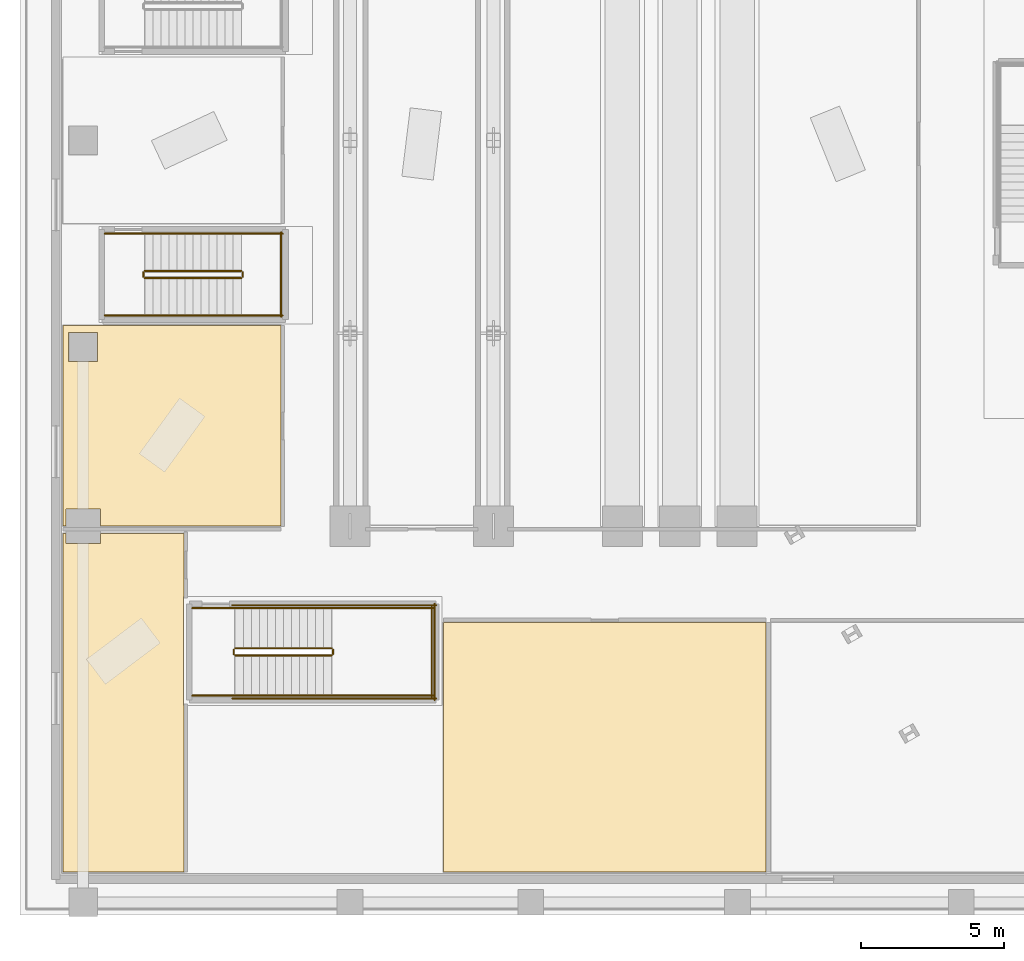
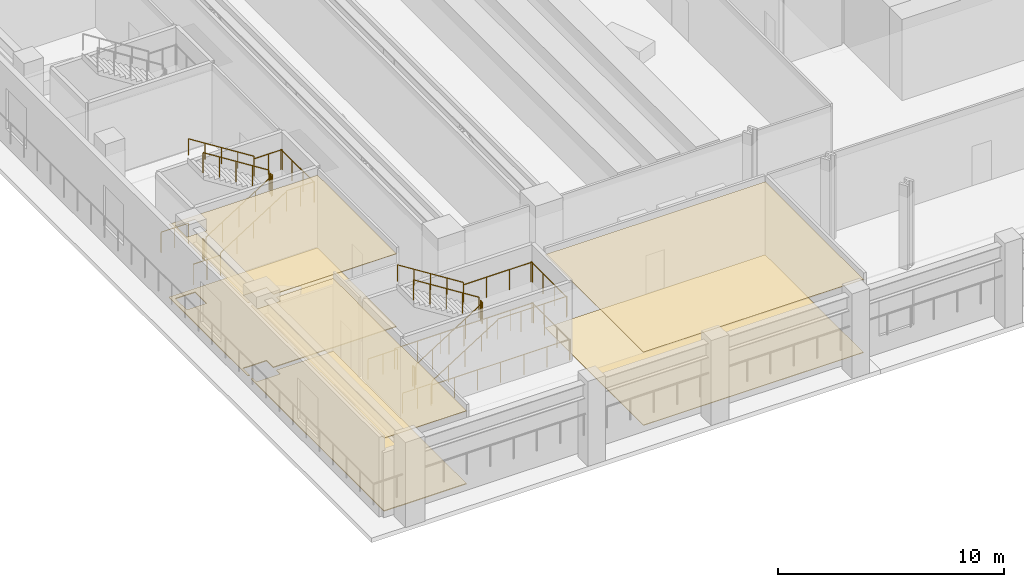
# One storey, part 13 of 24: 25 railings, 6 coverings.
"""IFC4 building model written with IfcOpenShell, lengths in metres."""

import ifcopenshell
import ifcopenshell.guid

model = None  # the IFC model being written
_history = None  # IfcOwnerHistory: only IFC2X3 demands one
_inside = {}  # id of a spatial element -> (the spatial element, [elements in it])
_under = {}  # id of a project, library or spatial element -> (it, [spatial elements below it])
_declared = {}  # id of a project -> (the project, [libraries it declares])
_typed = {}  # id of a type object -> (the type object, [elements of that type])
_made_of = {}  # id of a material, layer set ... -> (it, [elements and type objects made of it])


def new_model(schema):
    """Start an empty IFC model of exactly this schema.

    Asked for "IFC4X3", IfcOpenShell would pick the latest addendum, in which some entities
    have other attributes; the version numbers below select the first issue.
    IFC2X3 requires an IfcOwnerHistory on every rooted entity: one is made here for all.
    """
    global model, _history
    if schema == "IFC4X3":
        model = ifcopenshell.file(schema_version=(4, 3, 0, 0))
    else:
        model = ifcopenshell.file(schema=schema)
    _inside.clear()
    _under.clear()
    _declared.clear()
    _typed.clear()
    _made_of.clear()
    _history = None
    if model.schema == "IFC2X3":
        org = make("IfcOrganization", Name="unknown")
        user = make(
            "IfcPersonAndOrganization",
            ThePerson=make("IfcPerson", FamilyName="unknown"),
            TheOrganization=org,
        )
        app = make(
            "IfcApplication",
            ApplicationDeveloper=org,
            Version="unknown",
            ApplicationFullName="unknown",
            ApplicationIdentifier="unknown",
        )
        _history = make(
            "IfcOwnerHistory",
            OwningUser=user,
            OwningApplication=app,
            ChangeAction="ADDED",
            CreationDate=0,
        )
    return model


def make(cls, **values):
    """One entity of the class cls with the attributes given. An attribute that is None is left unset."""
    return model.create_entity(
        cls, **{name: value for name, value in values.items() if value is not None}
    )


def rooted(cls, **values):
    """An entity with a GlobalId (a new one), such as an element, a storey or a relation."""
    return make(cls, GlobalId=ifcopenshell.guid.new(), OwnerHistory=_history, **values)


def si_unit(unit_type, name, prefix=None):
    """IfcSIUnit, for example si_unit("LENGTHUNIT", "METRE", prefix="MILLI")."""
    return make("IfcSIUnit", UnitType=unit_type, Prefix=prefix, Name=name)


def assignment(units):
    """IfcUnitAssignment: the units of a project."""
    return None if units is None else make("IfcUnitAssignment", Units=units)


def point(xyz):
    """IfcCartesianPoint."""
    return None if xyz is None else make("IfcCartesianPoint", Coordinates=xyz)


def direction(xyz):
    """IfcDirection."""
    return None if xyz is None else make("IfcDirection", DirectionRatios=xyz)


def frame(location, z_axis=None, x_axis=None):
    """IfcAxis2Placement3D, a coordinate frame: its origin and axes. An axis left out is left unset."""
    return make(
        "IfcAxis2Placement3D",
        Location=point(location),
        Axis=direction(z_axis),
        RefDirection=direction(x_axis),
    )


def frame_2d(location, x_axis=None):
    """IfcAxis2Placement2D, a coordinate frame in the plane: its origin and x axis."""
    return make(
        "IfcAxis2Placement2D", Location=point(location), RefDirection=direction(x_axis)
    )


def origin():
    """The frame at (0, 0, 0) with its axes left unset."""
    return frame((0.0, 0.0, 0.0))


def origin_2d():
    """The frame at (0, 0) in the plane with its x axis left unset."""
    return frame_2d((0.0, 0.0))


def place(relative_to, where):
    """IfcLocalPlacement: puts the frame where relative to a parent placement (None: the world)."""
    return make(
        "IfcLocalPlacement", PlacementRelTo=relative_to, RelativePlacement=where
    )


def context(
    kind, dimensions, precision=None, world=None, true_north=None, identifier=None
):
    """IfcGeometricRepresentationContext, for example the 3D "Model" context."""
    return make(
        "IfcGeometricRepresentationContext",
        ContextIdentifier=identifier,
        ContextType=kind,
        CoordinateSpaceDimension=dimensions,
        Precision=precision,
        WorldCoordinateSystem=world,
        TrueNorth=true_north,
    )


def subcontext(parent, identifier, kind, view, scale=None):
    """IfcGeometricRepresentationSubContext, for example "Body" below "Model"."""
    return make(
        "IfcGeometricRepresentationSubContext",
        ContextIdentifier=identifier,
        ContextType=kind,
        ParentContext=parent,
        TargetScale=scale,
        TargetView=view,
    )


def project(units=None, contexts=None):
    """IfcProject with its units and contexts."""
    return rooted(
        "IfcProject",
        Name="project",
        RepresentationContexts=contexts,
        UnitsInContext=assignment(units),
    )


def spatial(cls, under=None, at=None, **own):
    """A site, building, storey or space (cls), placed at a placement, below another one or the project."""
    s = rooted(cls, ObjectPlacement=at, **own)
    if under is not None:
        _under.setdefault(under.id(), (under, []))[1].append(s)
    return s


def polyline(points):
    """IfcPolyline through the points."""
    return make("IfcPolyline", Points=[point(p) for p in points])


def profile(cls, at=None, kind="AREA", **sizes):
    """A parametric profile (cls). Its sizes go by their IFC names, for example OverallWidth=200.0."""
    return make(cls, ProfileType=kind, Position=at, **sizes)


def circle(**sizes):
    """IfcCircleProfileDef."""
    return profile("IfcCircleProfileDef", **sizes)


def outline(outer, holes=None, kind="AREA"):
    """IfcArbitraryClosedProfileDef: a profile drawn as a closed curve; with holes, ...WithVoids."""
    if holes is None:
        return make("IfcArbitraryClosedProfileDef", ProfileType=kind, OuterCurve=outer)
    return make(
        "IfcArbitraryProfileDefWithVoids",
        ProfileType=kind,
        OuterCurve=outer,
        InnerCurves=holes,
    )


def extrude(swept, where, along, depth):
    """IfcExtrudedAreaSolid: the profile swept, set in the frame where, extruded along a direction by depth."""
    return make(
        "IfcExtrudedAreaSolid",
        SweptArea=swept,
        Position=where,
        ExtrudedDirection=direction(along),
        Depth=depth,
    )


def shape(context_of_items, identifier, shape_type, items):
    """IfcShapeRepresentation: the items that make up one representation, for example the "Body"."""
    return make(
        "IfcShapeRepresentation",
        ContextOfItems=context_of_items,
        RepresentationIdentifier=identifier,
        RepresentationType=shape_type,
        Items=items,
    )


def material(Name=None, Category=None):
    """IfcMaterial."""
    return make("IfcMaterial", Name=Name, Category=Category)


def layer(
    of_material, thickness, ventilated=None, Name=None, Category=None, Priority=None
):
    """IfcMaterialLayer: one layer of a wall or slab, of a material (None: an air gap)."""
    return make(
        "IfcMaterialLayer",
        Material=of_material,
        LayerThickness=thickness,
        IsVentilated=ventilated,
        Name=Name,
        Category=Category,
        Priority=Priority,
    )


def layer_set(layers, Name=None):
    """IfcMaterialLayerSet."""
    return make("IfcMaterialLayerSet", MaterialLayers=layers, LayerSetName=Name)


def made_of(thing, what):
    """Note that an element or type object is made of a material, layer set ...; save() writes the relation."""
    if what is not None:
        _made_of.setdefault(what.id(), (what, []))[1].append(thing)
    return thing


def type_object(cls, material=None, **own):
    """A type object (cls), such as IfcWallType, which elements share."""
    return made_of(rooted(cls, **own), material)


def element(
    cls,
    number,
    at=None,
    inside=None,
    cuts=None,
    type_object=None,
    material=None,
    context=None,
    identifier="Body",
    shape_type=None,
    held_by="IfcProductDefinitionShape",
    body=None,
    shapes=None,
    **own,
):
    """One element of the class cls, such as IfcWall. Its Tag is "e" and its number.

    at: its placement. inside: the storey or other place that contains it. cuts: it is an
    opening in that element (IfcRelVoidsElement). A single representation is given by context,
    identifier, shape_type and body (its items); several are given by shapes. held_by: the class
    of the entity that holds the representations. save() writes the other relations.
    """
    e = rooted(cls, Tag="e%d" % number, ObjectPlacement=at, **own)
    if body is not None:
        shapes = [shape(context, identifier, shape_type, body)]
    if shapes is not None:
        e.Representation = make(held_by, Representations=shapes)
    if inside is not None:
        _inside.setdefault(inside.id(), (inside, []))[1].append(e)
    if cuts is not None:
        rooted(
            "IfcRelVoidsElement", RelatingBuildingElement=cuts, RelatedOpeningElement=e
        )
    if type_object is not None:
        _typed.setdefault(type_object.id(), (type_object, []))[1].append(e)
    return made_of(e, material)


def aggregate(whole, parts):
    """IfcRelAggregates: a whole, such as a stair, and the parts it consists of."""
    return rooted("IfcRelAggregates", RelatingObject=whole, RelatedObjects=parts)


def save(model, path):
    """Write the relations noted so far, then the file.

    IfcRelAggregates (storeys below a building ...), IfcRelContainedInSpatialStructure (elements
    in a storey), IfcRelDefinesByType, IfcRelAssociatesMaterial and IfcRelDeclares: one each for
    every whole, place, type object, material and project.
    """
    for whole, parts in _under.values():
        aggregate(whole, parts)
    for where, things in _inside.values():
        rooted(
            "IfcRelContainedInSpatialStructure",
            RelatedElements=things,
            RelatingStructure=where,
        )
    for kind, things in _typed.values():
        rooted("IfcRelDefinesByType", RelatedObjects=things, RelatingType=kind)
    for what, things in _made_of.values():
        rooted("IfcRelAssociatesMaterial", RelatedObjects=things, RelatingMaterial=what)
    for by, libraries in _declared.values():
        rooted("IfcRelDeclares", RelatingContext=by, RelatedDefinitions=libraries)
    model.write(path)


model = new_model("IFC4")

# Units and contexts
model_context = context("Model", 3, precision=1e-05, world=origin(), true_north=direction((0.0, 1.0)))
body_context = subcontext(model_context, "Body", "Model", "MODEL_VIEW")
ifc_project = project(units=[si_unit("LENGTHUNIT", "METRE"), si_unit("AREAUNIT", "SQUARE_METRE"), si_unit("VOLUMEUNIT", "CUBIC_METRE"), si_unit("PLANEANGLEUNIT", "RADIAN"), si_unit("MASSUNIT", "GRAM", prefix="KILO")], contexts=[model_context])

# Site, building, storey
site_placement = place(None, origin())
site = spatial("IfcSite", under=ifc_project, at=site_placement, CompositionType="ELEMENT")
building_placement = place(site_placement, origin())
building = spatial("IfcBuilding", under=site, at=building_placement, Name="Valkerne Bourse Tower", CompositionType="ELEMENT")
storey_placement = place(building_placement, frame((0.0, 0.0, 19.39990234375)))
storey = spatial("IfcBuildingStorey", under=building, at=storey_placement, Name="L04", CompositionType="ELEMENT", Elevation=19.39990234375)

# Coverings
ifc_material_1 = material(Name="Mineral Fiber Acoustic Ceiling Tile", Category="acoustic")
ifc_layer_1 = layer(ifc_material_1, 0.02490234375)
ifc_layer_set_1 = layer_set([ifc_layer_1], Name="Mineral Fiber Acoustic Ceiling Tile")
covering_type_1 = type_object("IfcCoveringType", Name="COV-CEIL-ACT", PredefinedType="CEILING", material=ifc_layer_set_1)
covering_1_placement = place(storey_placement, frame((0.0, 0.0, 3.9501953125)))
element("IfcCovering", 1, at=covering_1_placement, inside=storey, type_object=covering_type_1, Name="L04 Suspended Ceiling 01", PredefinedType="CEILING", context=body_context, shape_type="SweptSolid", body=[
    extrude(outline(polyline([(1.50390625, 13.2958984375), (1.595947265625, 13.2958984375), (1.595947265625, 12.946044921875), (2.803955078125, 12.946044921875), (2.803955078125, 13.2958984375), (5.716064453125, 13.2958984375), (5.716064453125, 11.10009765625), (5.699951171875, 11.10009765625), (5.699951171875, 7.300048828125), (5.716064453125, 7.300048828125), (5.716064453125, 1.50390625), (1.50390625, 1.50390625), (1.50390625, 13.2958984375)])), origin(), (0.0, 0.0, 1.0), 0.02490234375),
])
covering_2_placement = place(storey_placement, frame((0.0, 0.0, 3.9501953125)))
element("IfcCovering", 2, at=covering_2_placement, inside=storey, type_object=covering_type_1, Name="L04 Suspended Ceiling 02", PredefinedType="CEILING", context=body_context, shape_type="SweptSolid", body=[
    extrude(outline(polyline([(14.75390625, 10.196044921875), (25.99609375, 10.196044921875), (25.99609375, 1.50390625), (14.75390625, 1.50390625), (14.75390625, 10.196044921875)])), origin(), (0.0, 0.0, 1.0), 0.02490234375),
])
covering_3_placement = place(storey_placement, frame((0.0, 0.0, 3.9501953125)))
element("IfcCovering", 3, at=covering_3_placement, inside=storey, type_object=covering_type_1, Name="L04 Suspended Ceiling 14", PredefinedType="CEILING", context=body_context, shape_type="SweptSolid", body=[
    extrude(outline(polyline([(1.50390625, 20.5458984375), (9.095947265625, 20.5458984375), (9.095947265625, 13.553955078125), (2.803955078125, 13.553955078125), (2.803955078125, 14.154052734375), (1.595947265625, 14.154052734375), (1.595947265625, 13.553955078125), (1.50390625, 13.553955078125), (1.50390625, 20.5458984375)]), holes=[polyline([(1.696044921875, 20.303955078125), (1.696044921875, 19.2958984375), (2.7041015625, 19.2958984375), (2.7041015625, 20.303955078125), (1.696044921875, 20.303955078125)])]), origin(), (0.0, 0.0, 1.0), 0.02490234375),
])
ifc_material_2 = material(Name="Galvanised Painted Steel", Category="steel")
ifc_layer_2 = layer(ifc_material_2, 0.044921875)
ifc_layer_set_2 = layer_set([ifc_layer_2], Name="Galvanised Painted Steel")
covering_type_2 = type_object("IfcCoveringType", Name="COV-FLR-RAF", PredefinedType="FLOORING", material=ifc_layer_set_2)
covering_4_placement = place(storey_placement, origin())
element("IfcCovering", 4, at=covering_4_placement, inside=storey, type_object=covering_type_2, Name="L04 Floor Finish 01", PredefinedType="FLOORING", context=body_context, shape_type="SweptSolid", body=[
    extrude(outline(polyline([(1.50390625, 13.2958984375), (1.595947265625, 13.2958984375), (1.595947265625, 12.946044921875), (2.803955078125, 12.946044921875), (2.803955078125, 13.2958984375), (5.716064453125, 13.2958984375), (5.716064453125, 11.10009765625), (5.699951171875, 11.10009765625), (5.699951171875, 7.300048828125), (5.716064453125, 7.300048828125), (5.716064453125, 1.50390625), (1.50390625, 1.50390625), (1.50390625, 13.2958984375)])), origin(), (0.0, 0.0, 1.0), 0.045166015625),
])
covering_5_placement = place(storey_placement, origin())
element("IfcCovering", 5, at=covering_5_placement, inside=storey, type_object=covering_type_2, Name="L04 Floor Finish 14", PredefinedType="FLOORING", context=body_context, shape_type="SweptSolid", body=[
    extrude(outline(polyline([(1.50390625, 20.5458984375), (9.095947265625, 20.5458984375), (9.095947265625, 13.553955078125), (2.803955078125, 13.553955078125), (2.803955078125, 14.154052734375), (1.595947265625, 14.154052734375), (1.595947265625, 13.553955078125), (1.50390625, 13.553955078125), (1.50390625, 20.5458984375)]), holes=[polyline([(1.696044921875, 20.303955078125), (1.696044921875, 19.2958984375), (2.7041015625, 19.2958984375), (2.7041015625, 20.303955078125), (1.696044921875, 20.303955078125)])]), origin(), (0.0, 0.0, 1.0), 0.045166015625),
])
ifc_material_3 = material(Name="Polished Granite Stone", Category="masonry")
ifc_layer_3 = layer(ifc_material_3, 0.030029296875)
ifc_layer_set_3 = layer_set([ifc_layer_3], Name="Polished Granite Stone")
covering_type_3 = type_object("IfcCoveringType", Name="COV-FLR-TERRAZZO", PredefinedType="FLOORING", material=ifc_layer_set_3)
covering_6_placement = place(storey_placement, origin())
element("IfcCovering", 6, at=covering_6_placement, inside=storey, type_object=covering_type_3, Name="L04 Floor Finish 02", PredefinedType="FLOORING", context=body_context, shape_type="SweptSolid", body=[
    extrude(outline(polyline([(14.75390625, 10.196044921875), (25.99609375, 10.196044921875), (25.99609375, 1.50390625), (14.75390625, 1.50390625), (14.75390625, 10.196044921875)])), origin(), (0.0, 0.0, 1.0), 0.030029296875),
])

# Railings
railing_type_1 = type_object("IfcRailingType", Name="RLG-ST-GUARD-1120", PredefinedType="GUARDRAIL", material=ifc_material_2)
railing_1_placement = place(storey_placement, frame((7.5, 9.050048828125, 0.177001953125)))
element("IfcRailing", 7, at=railing_1_placement, inside=storey, type_object=railing_type_1, Name="L04 ST-P1 stair guard 1", PredefinedType="GUARDRAIL", context=body_context, shape_type="SweptSolid", body=[
    extrude(circle(Radius=0.02392578125, at=origin_2d()), frame((0.0, 0.0, 1.09619140625), z_axis=(0.845389635667, 0.0, 0.534150132366), x_axis=(0.0, 1.0, 0.0)), (0.0, 0.0, 1.0), 3.974609375),
    extrude(circle(Radius=0.02099609375, at=origin_2d()), origin(), (0.0, 0.0, 1.0), 1.072021484375),
    extrude(circle(Radius=0.02099609375, at=origin_2d()), frame((0.840087890625, 0.0, 0.53076171875)), (0.0, 0.0, 1.0), 1.072021484375),
    extrude(circle(Radius=0.02099609375, at=origin_2d()), frame((1.68017578125, 0.0, 1.0615234375)), (0.0, 0.0, 1.0), 1.072021484375),
    extrude(circle(Radius=0.02099609375, at=origin_2d()), frame((2.52001953125, 0.0, 1.59228515625)), (0.0, 0.0, 1.0), 1.072021484375),
    extrude(circle(Radius=0.02099609375, at=origin_2d()), frame((3.360107421875, 0.0, 2.123046875)), (0.0, 0.0, 1.0), 1.072021484375),
])
railing_2_placement = place(storey_placement, frame((10.909912109375, 9.10009765625, 2.300048828125)))
element("IfcRailing", 8, at=railing_2_placement, inside=storey, type_object=railing_type_1, Name="L04 ST-P1 stair guard 2", PredefinedType="GUARDRAIL", context=body_context, shape_type="SweptSolid", body=[
    extrude(circle(Radius=0.02392578125, at=origin_2d()), frame((0.0, 0.0, 1.09619140625), z_axis=(0.0, 1.0, 0.0), x_axis=(-1.0, 0.0, 0.0)), (0.0, 0.0, 1.0), 0.14990234375),
    extrude(circle(Radius=0.02099609375, at=origin_2d()), origin(), (0.0, 0.0, 1.0), 1.072021484375),
    extrude(circle(Radius=0.02099609375, at=origin_2d()), frame((0.0, 0.14990234375, 0.0)), (0.0, 0.0, 1.0), 1.072021484375),
])
for number, where, name in (
    (9, (10.860107421875, 7.64990234375, 2.300048828125), "L04 ST-P1 stair guard 3"),
    (10, (10.860107421875, 10.699951171875, 2.300048828125), "L04 ST-P1 stair guard 4"),
):
    element("IfcRailing", number, at=place(storey_placement, frame(where)), inside=storey, type_object=railing_type_1, Name=name, PredefinedType="GUARDRAIL", context=body_context, shape_type="SweptSolid", body=[
        extrude(circle(Radius=0.02392578125, at=origin_2d()), frame((0.0, 0.0, 1.09619140625), z_axis=(1.0, 0.0, 0.0), x_axis=(0.0, 1.0, 0.0)), (0.0, 0.0, 1.0), 3.539794921875),
        extrude(circle(Radius=0.02099609375, at=origin_2d()), origin(), (0.0, 0.0, 1.0), 1.072021484375),
        extrude(circle(Radius=0.02099609375, at=origin_2d()), frame((1.179931640625, 0.0, 0.0)), (0.0, 0.0, 1.0), 1.072021484375),
        extrude(circle(Radius=0.02099609375, at=origin_2d()), frame((2.35986328125, 0.0, 0.0)), (0.0, 0.0, 1.0), 1.072021484375),
        extrude(circle(Radius=0.02099609375, at=origin_2d()), frame((3.539794921875, 0.0, 0.0)), (0.0, 0.0, 1.0), 1.072021484375),
    ])
railing_3_placement = place(storey_placement, frame((14.35009765625, 7.60009765625, 2.300048828125)))
element("IfcRailing", 11, at=railing_3_placement, inside=storey, type_object=railing_type_1, Name="L04 ST-P1 stair guard 5", PredefinedType="GUARDRAIL", context=body_context, shape_type="SweptSolid", body=[
    extrude(circle(Radius=0.02392578125, at=origin_2d()), frame((0.0, 0.0, 1.09619140625), z_axis=(0.0, 1.0, 0.0), x_axis=(-1.0, 0.0, 0.0)), (0.0, 0.0, 1.0), 3.14990234375),
    extrude(circle(Radius=0.02099609375, at=origin_2d()), origin(), (0.0, 0.0, 1.0), 1.072021484375),
    extrude(circle(Radius=0.02099609375, at=origin_2d()), frame((0.0, 1.050048828125, 0.0)), (0.0, 0.0, 1.0), 1.072021484375),
    extrude(circle(Radius=0.02099609375, at=origin_2d()), frame((0.0, 2.099853515625, 0.0)), (0.0, 0.0, 1.0), 1.072021484375),
    extrude(circle(Radius=0.02099609375, at=origin_2d()), frame((0.0, 3.14990234375, 0.0)), (0.0, 0.0, 1.0), 1.072021484375),
])
railing_4_placement = place(storey_placement, frame((10.860107421875, 9.300048828125, 2.47705078125)))
element("IfcRailing", 12, at=railing_4_placement, inside=storey, type_object=railing_type_1, Name="L04 ST-P1 stair guard 6", PredefinedType="GUARDRAIL", context=body_context, shape_type="SweptSolid", body=[
    extrude(circle(Radius=0.02392578125, at=origin_2d()), frame((0.0, 0.0, 1.09619140625), z_axis=(-0.845389635667, 0.0, 0.534150132366), x_axis=(0.0, -1.0, 0.0)), (0.0, 0.0, 1.0), 3.974609375),
    extrude(circle(Radius=0.02099609375, at=origin_2d()), origin(), (0.0, 0.0, 1.0), 1.072021484375),
    extrude(circle(Radius=0.02099609375, at=origin_2d()), frame((-0.840087890625, 0.0, 0.53076171875)), (0.0, 0.0, 1.0), 1.072021484375),
    extrude(circle(Radius=0.02099609375, at=origin_2d()), frame((-1.68017578125, 0.0, 1.0615234375)), (0.0, 0.0, 1.0), 1.072021484375),
    extrude(circle(Radius=0.02099609375, at=origin_2d()), frame((-2.52001953125, 0.0, 1.59228515625)), (0.0, 0.0, 1.0), 1.072021484375),
    extrude(circle(Radius=0.02099609375, at=origin_2d()), frame((-3.360107421875, 0.0, 2.123046875)), (0.0, 0.0, 1.0), 1.072021484375),
])
railing_5_placement = place(storey_placement, frame((7.449951171875, 9.10009765625, 0.0)))
element("IfcRailing", 13, at=railing_5_placement, inside=storey, type_object=railing_type_1, Name="L04 ST-P1 stair guard 7", PredefinedType="GUARDRAIL", context=body_context, shape_type="SweptSolid", body=[
    extrude(circle(Radius=0.02392578125, at=origin_2d()), frame((0.0, 0.0, 1.09619140625), z_axis=(0.0, 1.0, 0.0), x_axis=(-1.0, 0.0, 0.0)), (0.0, 0.0, 1.0), 0.14990234375),
    extrude(circle(Radius=0.02099609375, at=origin_2d()), origin(), (0.0, 0.0, 1.0), 1.072021484375),
    extrude(circle(Radius=0.02099609375, at=origin_2d()), frame((0.0, 0.14990234375, 0.0)), (0.0, 0.0, 1.0), 1.072021484375),
])
for number, where, name in (
    (14, (6.0, 7.64990234375, 0.0), "L04 ST-P1 stair guard 8"),
    (15, (6.0, 10.699951171875, 0.0), "L04 ST-P1 stair guard 9"),
):
    element("IfcRailing", number, at=place(storey_placement, frame(where)), inside=storey, type_object=railing_type_1, Name=name, PredefinedType="GUARDRAIL", context=body_context, shape_type="SweptSolid", body=[
        extrude(circle(Radius=0.02392578125, at=origin_2d()), frame((0.0, 0.0, 1.09619140625), z_axis=(1.0, 0.0, 0.0), x_axis=(0.0, 1.0, 0.0)), (0.0, 0.0, 1.0), 1.5),
        extrude(circle(Radius=0.02099609375, at=origin_2d()), origin(), (0.0, 0.0, 1.0), 1.072021484375),
        extrude(circle(Radius=0.02099609375, at=origin_2d()), frame((0.75, 0.0, 0.0)), (0.0, 0.0, 1.0), 1.072021484375),
        extrude(circle(Radius=0.02099609375, at=origin_2d()), frame((1.5, 0.0, 0.0)), (0.0, 0.0, 1.0), 1.072021484375),
    ])
for number, where, name in (
    (16, (7.39990234375, 7.550048828125, 0.0), "L04 ST-P1 stair guard 10"),
    (17, (7.39990234375, 10.800048828125, 0.0), "L04 ST-P1 stair guard 11"),
):
    element("IfcRailing", number, at=place(storey_placement, frame(where)), inside=storey, type_object=railing_type_1, Name=name, PredefinedType="GUARDRAIL", context=body_context, shape_type="SweptSolid", body=[
        extrude(circle(Radius=0.02392578125, at=origin_2d()), frame((0.0, 0.0, 1.09619140625), z_axis=(1.0, 0.0, 0.0), x_axis=(0.0, 1.0, 0.0)), (0.0, 0.0, 1.0), 7.10009765625),
        extrude(circle(Radius=0.02099609375, at=origin_2d()), origin(), (0.0, 0.0, 1.0), 1.072021484375),
        extrude(circle(Radius=0.02099609375, at=origin_2d()), frame((1.183349609375, 0.0, 0.0)), (0.0, 0.0, 1.0), 1.072021484375),
        extrude(circle(Radius=0.02099609375, at=origin_2d()), frame((2.36669921875, 0.0, 0.0)), (0.0, 0.0, 1.0), 1.072021484375),
        extrude(circle(Radius=0.02099609375, at=origin_2d()), frame((3.550048828125, 0.0, 0.0)), (0.0, 0.0, 1.0), 1.072021484375),
        extrude(circle(Radius=0.02099609375, at=origin_2d()), frame((4.7333984375, 0.0, 0.0)), (0.0, 0.0, 1.0), 1.072021484375),
        extrude(circle(Radius=0.02099609375, at=origin_2d()), frame((5.916748046875, 0.0, 0.0)), (0.0, 0.0, 1.0), 1.072021484375),
        extrude(circle(Radius=0.02099609375, at=origin_2d()), frame((7.10009765625, 0.0, 0.0)), (0.0, 0.0, 1.0), 1.072021484375),
    ])
railing_6_placement = place(storey_placement, frame((14.449951171875, 7.5, 0.0)))
element("IfcRailing", 18, at=railing_6_placement, inside=storey, type_object=railing_type_1, Name="L04 ST-P1 stair guard 12", PredefinedType="GUARDRAIL", context=body_context, shape_type="SweptSolid", body=[
    extrude(circle(Radius=0.02392578125, at=origin_2d()), frame((0.0, 0.0, 1.09619140625), z_axis=(0.0, 1.0, 0.0), x_axis=(-1.0, 0.0, 0.0)), (0.0, 0.0, 1.0), 3.35009765625),
    extrude(circle(Radius=0.02099609375, at=origin_2d()), origin(), (0.0, 0.0, 1.0), 1.072021484375),
    extrude(circle(Radius=0.02099609375, at=origin_2d()), frame((0.0, 1.11669921875, 0.0)), (0.0, 0.0, 1.0), 1.072021484375),
    extrude(circle(Radius=0.02099609375, at=origin_2d()), frame((0.0, 2.2333984375, 0.0)), (0.0, 0.0, 1.0), 1.072021484375),
    extrude(circle(Radius=0.02099609375, at=origin_2d()), frame((0.0, 3.35009765625, 0.0)), (0.0, 0.0, 1.0), 1.072021484375),
])
railing_7_placement = place(storey_placement, frame((4.35009765625, 22.199951171875, 0.177001953125)))
element("IfcRailing", 19, at=railing_7_placement, inside=storey, type_object=railing_type_1, Name="L04 ST-G1 stair guard 1", PredefinedType="GUARDRAIL", context=body_context, shape_type="SweptSolid", body=[
    extrude(circle(Radius=0.02392578125, at=origin_2d()), frame((0.0, 0.0, 1.09619140625), z_axis=(0.845372108799, 0.0, 0.534177870812), x_axis=(0.0, 1.0, 0.0)), (0.0, 0.0, 1.0), 3.974365234375),
    extrude(circle(Radius=0.02099609375, at=origin_2d()), origin(), (0.0, 0.0, 1.0), 1.072021484375),
    extrude(circle(Radius=0.02099609375, at=origin_2d()), frame((0.83984375, 0.0, 0.53076171875)), (0.0, 0.0, 1.0), 1.072021484375),
    extrude(circle(Radius=0.02099609375, at=origin_2d()), frame((1.679931640625, 0.0, 1.0615234375)), (0.0, 0.0, 1.0), 1.072021484375),
    extrude(circle(Radius=0.02099609375, at=origin_2d()), frame((2.52001953125, 0.0, 1.59228515625)), (0.0, 0.0, 1.0), 1.072021484375),
    extrude(circle(Radius=0.02099609375, at=origin_2d()), frame((3.35986328125, 0.0, 2.123046875)), (0.0, 0.0, 1.0), 1.072021484375),
])
railing_8_placement = place(storey_placement, frame((7.760009765625, 22.25, 2.300048828125)))
element("IfcRailing", 20, at=railing_8_placement, inside=storey, type_object=railing_type_1, Name="L04 ST-G1 stair guard 2", PredefinedType="GUARDRAIL", context=body_context, shape_type="SweptSolid", body=[
    extrude(circle(Radius=0.02392578125, at=origin_2d()), frame((0.0, 0.0, 1.09619140625), z_axis=(0.0, 1.0, 0.0), x_axis=(-1.0, 0.0, 0.0)), (0.0, 0.0, 1.0), 0.14990234375),
    extrude(circle(Radius=0.02099609375, at=origin_2d()), origin(), (0.0, 0.0, 1.0), 1.072021484375),
    extrude(circle(Radius=0.02099609375, at=origin_2d()), frame((0.0, 0.14990234375, 0.0)), (0.0, 0.0, 1.0), 1.072021484375),
])
for number, where, name in (
    (21, (7.7099609375, 20.89990234375, 2.300048828125), "L04 ST-G1 stair guard 3"),
    (22, (7.7099609375, 23.75, 2.300048828125), "L04 ST-G1 stair guard 4"),
):
    element("IfcRailing", number, at=place(storey_placement, frame(where)), inside=storey, type_object=railing_type_1, Name=name, PredefinedType="GUARDRAIL", context=body_context, shape_type="SweptSolid", body=[
        extrude(circle(Radius=0.02392578125, at=origin_2d()), frame((0.0, 0.0, 1.09619140625), z_axis=(1.0, 0.0, 0.0), x_axis=(0.0, 1.0, 0.0)), (0.0, 0.0, 1.0), 1.43994140625),
        extrude(circle(Radius=0.02099609375, at=origin_2d()), origin(), (0.0, 0.0, 1.0), 1.072021484375),
        extrude(circle(Radius=0.02099609375, at=origin_2d()), frame((0.719970703125, 0.0, 0.0)), (0.0, 0.0, 1.0), 1.072021484375),
        extrude(circle(Radius=0.02099609375, at=origin_2d()), frame((1.43994140625, 0.0, 0.0)), (0.0, 0.0, 1.0), 1.072021484375),
    ])
railing_9_placement = place(storey_placement, frame((9.10009765625, 20.85009765625, 2.300048828125)))
element("IfcRailing", 23, at=railing_9_placement, inside=storey, type_object=railing_type_1, Name="L04 ST-G1 stair guard 5", PredefinedType="GUARDRAIL", context=body_context, shape_type="SweptSolid", body=[
    extrude(circle(Radius=0.02392578125, at=origin_2d()), frame((0.0, 0.0, 1.09619140625), z_axis=(0.0, 1.0, 0.0), x_axis=(-1.0, 0.0, 0.0)), (0.0, 0.0, 1.0), 2.949951171875),
    extrude(circle(Radius=0.02099609375, at=origin_2d()), origin(), (0.0, 0.0, 1.0), 1.072021484375),
    extrude(circle(Radius=0.02099609375, at=origin_2d()), frame((0.0, 0.9833984375, 0.0)), (0.0, 0.0, 1.0), 1.072021484375),
    extrude(circle(Radius=0.02099609375, at=origin_2d()), frame((0.0, 1.966552734375, 0.0)), (0.0, 0.0, 1.0), 1.072021484375),
    extrude(circle(Radius=0.02099609375, at=origin_2d()), frame((0.0, 2.949951171875, 0.0)), (0.0, 0.0, 1.0), 1.072021484375),
])
railing_10_placement = place(storey_placement, frame((7.7099609375, 22.449951171875, 2.47705078125)))
element("IfcRailing", 24, at=railing_10_placement, inside=storey, type_object=railing_type_1, Name="L04 ST-G1 stair guard 6", PredefinedType="GUARDRAIL", context=body_context, shape_type="SweptSolid", body=[
    extrude(circle(Radius=0.02392578125, at=origin_2d()), frame((0.0, 0.0, 1.09619140625), z_axis=(-0.845372108799, 0.0, 0.534177870812), x_axis=(0.0, -1.0, 0.0)), (0.0, 0.0, 1.0), 3.974365234375),
    extrude(circle(Radius=0.02099609375, at=origin_2d()), origin(), (0.0, 0.0, 1.0), 1.072021484375),
    extrude(circle(Radius=0.02099609375, at=origin_2d()), frame((-0.83984375, 0.0, 0.53076171875)), (0.0, 0.0, 1.0), 1.072021484375),
    extrude(circle(Radius=0.02099609375, at=origin_2d()), frame((-1.679931640625, 0.0, 1.0615234375)), (0.0, 0.0, 1.0), 1.072021484375),
    extrude(circle(Radius=0.02099609375, at=origin_2d()), frame((-2.52001953125, 0.0, 1.59228515625)), (0.0, 0.0, 1.0), 1.072021484375),
    extrude(circle(Radius=0.02099609375, at=origin_2d()), frame((-3.35986328125, 0.0, 2.123046875)), (0.0, 0.0, 1.0), 1.072021484375),
])
railing_11_placement = place(storey_placement, frame((4.300048828125, 22.25, 0.0)))
element("IfcRailing", 25, at=railing_11_placement, inside=storey, type_object=railing_type_1, Name="L04 ST-G1 stair guard 7", PredefinedType="GUARDRAIL", context=body_context, shape_type="SweptSolid", body=[
    extrude(circle(Radius=0.02392578125, at=origin_2d()), frame((0.0, 0.0, 1.09619140625), z_axis=(0.0, 1.0, 0.0), x_axis=(-1.0, 0.0, 0.0)), (0.0, 0.0, 1.0), 0.14990234375),
    extrude(circle(Radius=0.02099609375, at=origin_2d()), origin(), (0.0, 0.0, 1.0), 1.072021484375),
    extrude(circle(Radius=0.02099609375, at=origin_2d()), frame((0.0, 0.14990234375, 0.0)), (0.0, 0.0, 1.0), 1.072021484375),
])
for number, where, name in (
    (26, (2.949951171875, 20.89990234375, 0.0), "L04 ST-G1 stair guard 8"),
    (27, (2.949951171875, 23.75, 0.0), "L04 ST-G1 stair guard 9"),
):
    element("IfcRailing", number, at=place(storey_placement, frame(where)), inside=storey, type_object=railing_type_1, Name=name, PredefinedType="GUARDRAIL", context=body_context, shape_type="SweptSolid", body=[
        extrude(circle(Radius=0.02392578125, at=origin_2d()), frame((0.0, 0.0, 1.09619140625), z_axis=(1.0, 0.0, 0.0), x_axis=(0.0, 1.0, 0.0)), (0.0, 0.0, 1.0), 1.400146484375),
        extrude(circle(Radius=0.02099609375, at=origin_2d()), origin(), (0.0, 0.0, 1.0), 1.072021484375),
        extrude(circle(Radius=0.02099609375, at=origin_2d()), frame((0.7001953125, 0.0, 0.0)), (0.0, 0.0, 1.0), 1.072021484375),
        extrude(circle(Radius=0.02099609375, at=origin_2d()), frame((1.400146484375, 0.0, 0.0)), (0.0, 0.0, 1.0), 1.072021484375),
    ])
ifc_material_4 = material(Name="Stainless Steel AISI 316", Category="steel")
railing_type_2 = type_object("IfcRailingType", Name="RLG-ST-HANDRAIL-900", PredefinedType="HANDRAIL", material=ifc_material_4)
railing_12_placement = place(storey_placement, frame((7.5, 7.64990234375, 0.35400390625)))
element("IfcRailing", 28, at=railing_12_placement, inside=storey, type_object=railing_type_2, Name="L04 ST-P1 stair handrail 1", PredefinedType="HANDRAIL", context=body_context, shape_type="SweptSolid", body=[
    extrude(circle(Radius=0.02392578125, at=origin_2d()), frame((0.0, 0.0, 0.8759765625), z_axis=(0.845389635667, 0.0, 0.534150132366), x_axis=(0.0, 1.0, 0.0)), (0.0, 0.0, 1.0), 3.974609375),
    extrude(circle(Radius=0.02099609375, at=origin_2d()), origin(), (0.0, 0.0, 1.0), 0.851806640625),
    extrude(circle(Radius=0.02099609375, at=origin_2d()), frame((0.840087890625, 0.0, 0.53076171875)), (0.0, 0.0, 1.0), 0.851806640625),
    extrude(circle(Radius=0.02099609375, at=origin_2d()), frame((1.68017578125, 0.0, 1.0615234375)), (0.0, 0.0, 1.0), 0.851806640625),
    extrude(circle(Radius=0.02099609375, at=origin_2d()), frame((2.52001953125, 0.0, 1.59228515625)), (0.0, 0.0, 1.0), 0.851806640625),
    extrude(circle(Radius=0.02099609375, at=origin_2d()), frame((3.360107421875, 0.0, 2.123046875)), (0.0, 0.0, 1.0), 0.851806640625),
])
railing_13_placement = place(storey_placement, frame((10.860107421875, 10.699951171875, 2.654052734375)))
element("IfcRailing", 29, at=railing_13_placement, inside=storey, type_object=railing_type_2, Name="L04 ST-P1 stair handrail 2", PredefinedType="HANDRAIL", context=body_context, shape_type="SweptSolid", body=[
    extrude(circle(Radius=0.02392578125, at=origin_2d()), frame((0.0, 0.0, 0.8759765625), z_axis=(-0.845389635667, 0.0, 0.534150132366), x_axis=(0.0, -1.0, 0.0)), (0.0, 0.0, 1.0), 3.974609375),
    extrude(circle(Radius=0.02099609375, at=origin_2d()), origin(), (0.0, 0.0, 1.0), 0.851806640625),
    extrude(circle(Radius=0.02099609375, at=origin_2d()), frame((-0.840087890625, 0.0, 0.53076171875)), (0.0, 0.0, 1.0), 0.851806640625),
    extrude(circle(Radius=0.02099609375, at=origin_2d()), frame((-1.68017578125, 0.0, 1.0615234375)), (0.0, 0.0, 1.0), 0.851806640625),
    extrude(circle(Radius=0.02099609375, at=origin_2d()), frame((-2.52001953125, 0.0, 1.59228515625)), (0.0, 0.0, 1.0), 0.851806640625),
    extrude(circle(Radius=0.02099609375, at=origin_2d()), frame((-3.360107421875, 0.0, 2.123046875)), (0.0, 0.0, 1.0), 0.851806640625),
])
railing_14_placement = place(storey_placement, frame((4.35009765625, 20.89990234375, 0.35400390625)))
element("IfcRailing", 30, at=railing_14_placement, inside=storey, type_object=railing_type_2, Name="L04 ST-G1 stair handrail 1", PredefinedType="HANDRAIL", context=body_context, shape_type="SweptSolid", body=[
    extrude(circle(Radius=0.02392578125, at=origin_2d()), frame((0.0, 0.0, 0.8759765625), z_axis=(0.845372108799, 0.0, 0.534177870812), x_axis=(0.0, 1.0, 0.0)), (0.0, 0.0, 1.0), 3.974365234375),
    extrude(circle(Radius=0.02099609375, at=origin_2d()), origin(), (0.0, 0.0, 1.0), 0.851806640625),
    extrude(circle(Radius=0.02099609375, at=origin_2d()), frame((0.83984375, 0.0, 0.53076171875)), (0.0, 0.0, 1.0), 0.851806640625),
    extrude(circle(Radius=0.02099609375, at=origin_2d()), frame((1.679931640625, 0.0, 1.0615234375)), (0.0, 0.0, 1.0), 0.851806640625),
    extrude(circle(Radius=0.02099609375, at=origin_2d()), frame((2.52001953125, 0.0, 1.59228515625)), (0.0, 0.0, 1.0), 0.851806640625),
    extrude(circle(Radius=0.02099609375, at=origin_2d()), frame((3.35986328125, 0.0, 2.123046875)), (0.0, 0.0, 1.0), 0.851806640625),
])
railing_15_placement = place(storey_placement, frame((7.7099609375, 23.75, 2.654052734375)))
element("IfcRailing", 31, at=railing_15_placement, inside=storey, type_object=railing_type_2, Name="L04 ST-G1 stair handrail 2", PredefinedType="HANDRAIL", context=body_context, shape_type="SweptSolid", body=[
    extrude(circle(Radius=0.02392578125, at=origin_2d()), frame((0.0, 0.0, 0.8759765625), z_axis=(-0.845372108799, 0.0, 0.534177870812), x_axis=(0.0, -1.0, 0.0)), (0.0, 0.0, 1.0), 3.974365234375),
    extrude(circle(Radius=0.02099609375, at=origin_2d()), origin(), (0.0, 0.0, 1.0), 0.851806640625),
    extrude(circle(Radius=0.02099609375, at=origin_2d()), frame((-0.83984375, 0.0, 0.53076171875)), (0.0, 0.0, 1.0), 0.851806640625),
    extrude(circle(Radius=0.02099609375, at=origin_2d()), frame((-1.679931640625, 0.0, 1.0615234375)), (0.0, 0.0, 1.0), 0.851806640625),
    extrude(circle(Radius=0.02099609375, at=origin_2d()), frame((-2.52001953125, 0.0, 1.59228515625)), (0.0, 0.0, 1.0), 0.851806640625),
    extrude(circle(Radius=0.02099609375, at=origin_2d()), frame((-3.35986328125, 0.0, 2.123046875)), (0.0, 0.0, 1.0), 0.851806640625),
])

save(model, "model.ifc")
